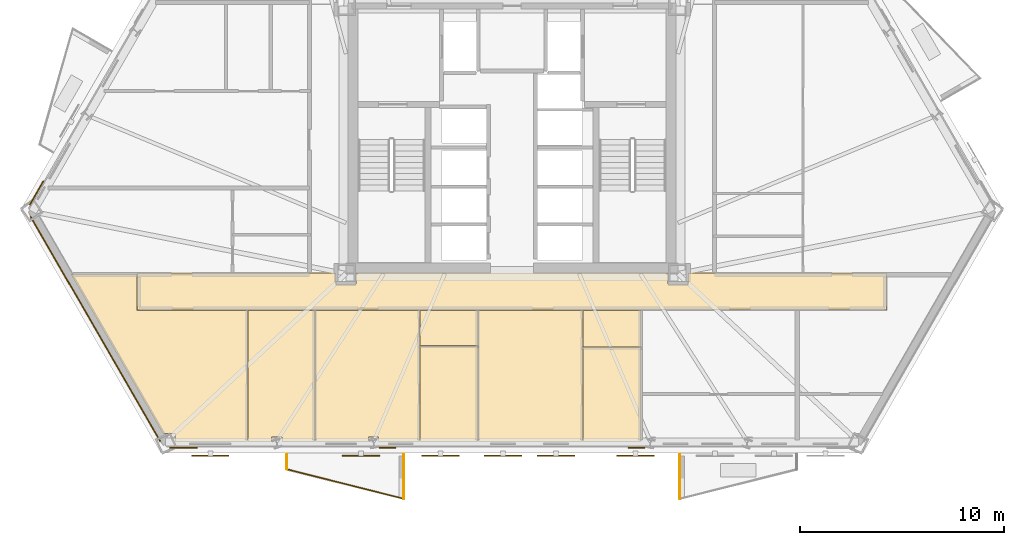
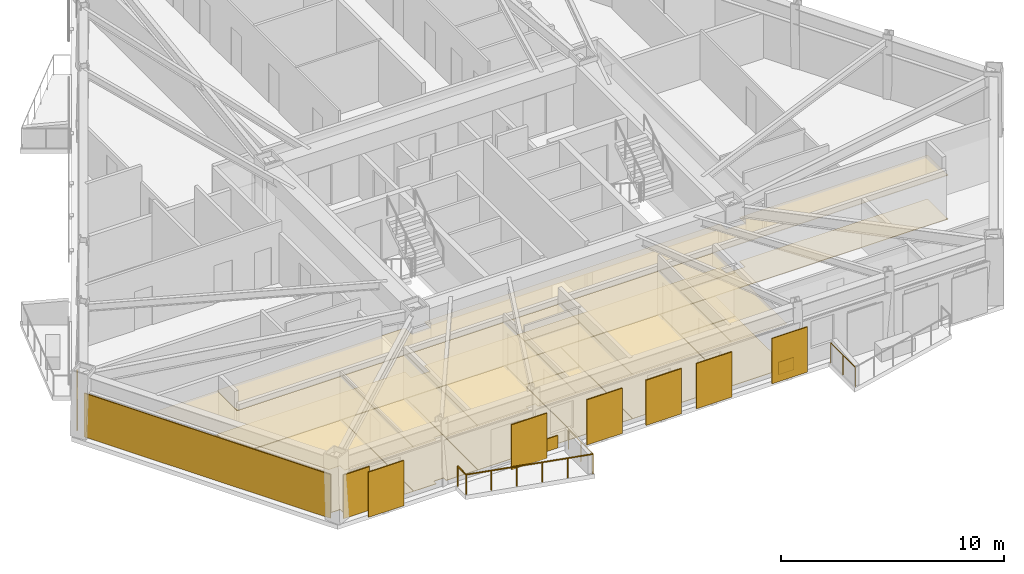
# One storey, part 7 of 10: 23 coverings, 6 shading devices, 4 railings.
"""IFC4 building model written with IfcOpenShell, lengths in metres."""

from ifc_helpers import new_model, si_unit, direction, frame, origin, origin_2d, place, context, subcontext, project, spatial, polyline, rectangle, circle, outline, extrude, material, layer, layer_set, type_object, element, save


model = new_model("IFC4")

# Units and contexts
model_context = context("Model", 3, precision=1e-05, world=origin(), true_north=direction((0.0, 1.0)))
body_context = subcontext(model_context, "Body", "Model", "MODEL_VIEW")
ifc_project = project(units=[si_unit("LENGTHUNIT", "METRE"), si_unit("AREAUNIT", "SQUARE_METRE"), si_unit("VOLUMEUNIT", "CUBIC_METRE"), si_unit("PLANEANGLEUNIT", "RADIAN"), si_unit("MASSUNIT", "GRAM", prefix="KILO")], contexts=[model_context])

# Site, building, storey
site_placement = place(None, origin())
site = spatial("IfcSite", under=ifc_project, at=site_placement, CompositionType="ELEMENT")
building_placement = place(site_placement, origin())
building = spatial("IfcBuilding", under=site, at=building_placement, Name="Oramaril Tower", CompositionType="ELEMENT")
storey_placement = place(building_placement, frame((0.0, 0.0, 74.10009765625)))
storey = spatial("IfcBuildingStorey", under=building, at=storey_placement, Name="L19", CompositionType="ELEMENT", Elevation=74.10009765625)

# Coverings
ifc_material_1 = material(Name="Mineral Fibre Acoustic Ceiling")
ifc_layer_1 = layer(ifc_material_1, 0.02001953125)
ifc_layer_set_1 = layer_set([ifc_layer_1], Name="CVT-CEIL")
covering_type_1 = type_object("IfcCoveringType", Name="CVT-CEIL", PredefinedType="CEILING", material=ifc_layer_set_1)
covering_1_placement = place(storey_placement, frame((0.0, 0.0, 2.39990234375)))
element("IfcCovering", 1, at=covering_1_placement, inside=storey, type_object=covering_type_1, Name="L19 Acoustic Suspended Ceiling 1", PredefinedType="CEILING", context=body_context, shape_type="SweptSolid", body=[
    extrude(outline(polyline([(28.85498046875, 10.5048828125), (29.844970703125, 10.5048828125), (29.844970703125, 11.030029296875), (45.155029296875, 11.030029296875), (45.155029296875, 10.5048828125), (46.14501953125, 10.5048828125), (46.14501953125, 11.030029296875), (55.8798828125, 11.030029296875), (55.8798828125, 9.219970703125), (19.1201171875, 9.219970703125), (19.1201171875, 11.030029296875), (28.85498046875, 11.030029296875), (28.85498046875, 10.5048828125)])), origin(), (0.0, 0.0, 1.0), 0.02001953125),
])
covering_2_placement = place(storey_placement, frame((0.0, 0.0, 2.39990234375)))
element("IfcCovering", 2, at=covering_2_placement, inside=storey, type_object=covering_type_1, Name="L19 Acoustic Suspended Ceiling 5", PredefinedType="CEILING", context=body_context, shape_type="SweptSolid", body=[
    extrude(outline(polyline([(24.51416015625, 2.762451171875), (20.950927734375, 2.762451171875), (20.950927734375, 3.167236328125), (20.359619140625, 3.167236328125), (15.842041015625, 10.991943359375), (19.10009765625, 10.991943359375), (19.10009765625, 9.219970703125), (19.10009765625, 9.218017578125), (19.100341796875, 9.216064453125), (19.100830078125, 9.214111328125), (19.1015625, 9.21240234375), (19.102294921875, 9.210693359375), (19.103515625, 9.208984375), (19.1044921875, 9.207275390625), (19.10595703125, 9.205810546875), (19.107421875, 9.20458984375), (19.10888671875, 9.203369140625), (19.110595703125, 9.202392578125), (19.1123046875, 9.201416015625), (19.1142578125, 9.200927734375), (19.1162109375, 9.200439453125), (19.117919921875, 9.2001953125), (19.1201171875, 9.199951171875), (24.51416015625, 9.199951171875), (24.51416015625, 2.762451171875)])), origin(), (0.0, 0.0, 1.0), 0.02001953125),
])
covering_3_placement = place(storey_placement, frame((0.0, 0.0, 2.39990234375)))
element("IfcCovering", 3, at=covering_3_placement, inside=storey, type_object=covering_type_1, Name="L19 Acoustic Suspended Ceiling 6", PredefinedType="CEILING", context=body_context, shape_type="SweptSolid", body=[
    extrude(outline(polyline([(26.197998046875, 2.762451171875), (26.197998046875, 2.984130859375), (25.69482421875, 2.984130859375), (25.69482421875, 2.762451171875), (24.5341796875, 2.762451171875), (24.5341796875, 9.199951171875), (27.842041015625, 9.199951171875), (27.842041015625, 2.762451171875), (26.197998046875, 2.762451171875)])), origin(), (0.0, 0.0, 1.0), 0.02001953125),
])
covering_4_placement = place(storey_placement, frame((0.0, 0.0, 2.39990234375)))
element("IfcCovering", 4, at=covering_4_placement, inside=storey, type_object=covering_type_1, Name="L19 Acoustic Suspended Ceiling 7", PredefinedType="CEILING", context=body_context, shape_type="SweptSolid", body=[
    extrude(outline(polyline([(32.9619140625, 2.762451171875), (30.949462890625, 2.762451171875), (30.949462890625, 2.984130859375), (30.458251953125, 2.984130859375), (30.458251953125, 2.762451171875), (27.862060546875, 2.762451171875), (27.862060546875, 9.199951171875), (32.9619140625, 9.199951171875), (32.9619140625, 2.762451171875)])), origin(), (0.0, 0.0, 1.0), 0.02001953125),
])
covering_5_placement = place(storey_placement, frame((0.0, 0.0, 2.39990234375)))
element("IfcCovering", 5, at=covering_5_placement, inside=storey, type_object=covering_type_1, Name="L19 Acoustic Suspended Ceiling 8", PredefinedType="CEILING", context=body_context, shape_type="SweptSolid", body=[
    extrude(outline(polyline([(35.842041015625, 7.451904296875), (35.842041015625, 2.762451171875), (32.98193359375, 2.762451171875), (32.98193359375, 7.451904296875), (35.842041015625, 7.451904296875)])), origin(), (0.0, 0.0, 1.0), 0.02001953125),
])
covering_6_placement = place(storey_placement, frame((0.0, 0.0, 2.39990234375)))
element("IfcCovering", 6, at=covering_6_placement, inside=storey, type_object=covering_type_1, Name="L19 Acoustic Suspended Ceiling 9", PredefinedType="CEILING", context=body_context, shape_type="SweptSolid", body=[
    extrude(outline(polyline([(35.842041015625, 7.471923828125), (32.98193359375, 7.471923828125), (32.98193359375, 9.199951171875), (35.842041015625, 9.199951171875), (35.842041015625, 7.471923828125)])), origin(), (0.0, 0.0, 1.0), 0.02001953125),
])
covering_7_placement = place(storey_placement, frame((0.0, 0.0, 2.39990234375)))
element("IfcCovering", 7, at=covering_7_placement, inside=storey, type_object=covering_type_1, Name="L19 Acoustic Suspended Ceiling 10", PredefinedType="CEILING", context=body_context, shape_type="SweptSolid", body=[
    extrude(outline(polyline([(40.9619140625, 2.762451171875), (35.862060546875, 2.762451171875), (35.862060546875, 7.451904296875), (35.86181640625, 7.4541015625), (35.861572265625, 7.455810546875), (35.861083984375, 7.457763671875), (35.860595703125, 7.459716796875), (35.859619140625, 7.46142578125), (35.859375, 7.4619140625), (35.859619140625, 7.462646484375), (35.860595703125, 7.46435546875), (35.861083984375, 7.46630859375), (35.861572265625, 7.468017578125), (35.86181640625, 7.469970703125), (35.862060546875, 7.471923828125), (35.862060546875, 9.199951171875), (40.9619140625, 9.199951171875), (40.9619140625, 2.762451171875)])), origin(), (0.0, 0.0, 1.0), 0.02001953125),
])
covering_8_placement = place(storey_placement, frame((0.0, 0.0, 2.39990234375)))
element("IfcCovering", 8, at=covering_8_placement, inside=storey, type_object=covering_type_1, Name="L19 Acoustic Suspended Ceiling 11", PredefinedType="CEILING", context=body_context, shape_type="SweptSolid", body=[
    extrude(outline(polyline([(43.842041015625, 7.381591796875), (43.842041015625, 2.762451171875), (40.98193359375, 2.762451171875), (40.98193359375, 7.381591796875), (43.842041015625, 7.381591796875)])), origin(), (0.0, 0.0, 1.0), 0.02001953125),
])
covering_9_placement = place(storey_placement, frame((0.0, 0.0, 2.39990234375)))
element("IfcCovering", 9, at=covering_9_placement, inside=storey, type_object=covering_type_1, Name="L19 Acoustic Suspended Ceiling 12", PredefinedType="CEILING", context=body_context, shape_type="SweptSolid", body=[
    extrude(outline(polyline([(43.842041015625, 7.401611328125), (40.98193359375, 7.401611328125), (40.98193359375, 9.199951171875), (43.842041015625, 9.199951171875), (43.842041015625, 7.401611328125)])), origin(), (0.0, 0.0, 1.0), 0.02001953125),
])
ifc_material_2 = material(Name="Warm Cream Limestone", Category="masonry")
ifc_layer_2 = layer(ifc_material_2, 0.050048828125)
ifc_layer_set_2 = layer_set([ifc_layer_2], Name="CVT-CLD")
covering_type_2 = type_object("IfcCoveringType", Name="CVT-CLD", PredefinedType="CLADDING", material=ifc_layer_set_2)
covering_10_placement = place(storey_placement, frame((17.052001953125, 8.294189453125, 0.039794921875), z_axis=(0.0, 0.0, 1.0), x_axis=(0.4999984885, -0.866026276448, 0.0)))
element("IfcCovering", 10, at=covering_10_placement, inside=storey, type_object=covering_type_2, Name="L19 Warm Cream Limestone Cladding", PredefinedType="CLADDING", context=body_context, shape_type="SweptSolid", body=[
    extrude(rectangle(XDim=12.74755859375, YDim=0.050048828125, at=origin_2d()), origin(), (0.0, 0.0, 1.0), 2.39404296875),
])
covering_11_placement = place(storey_placement, frame((21.381103515625, 2.46142578125, 0.039794921875), z_axis=(0.0, 0.0, 1.0), x_axis=(1.0, 0.0, 0.0)))
element("IfcCovering", 11, at=covering_11_placement, inside=storey, type_object=covering_type_2, Name="L19 Warm Cream Limestone Cladding", PredefinedType="CLADDING", context=body_context, shape_type="SweptSolid", body=[
    extrude(rectangle(XDim=1.35009765625, YDim=0.050048828125, at=origin_2d()), origin(), (0.0, 0.0, 1.0), 2.39404296875),
])
for number, where, z_axis, x_axis, name in (
    (12, (31.39111328125, 2.46142578125, 0.0400390625), (0.0, 0.0, 1.0), (1.0, 0.0, 0.0), "L19 Warm Cream Limestone Spandrel Cladding"),
    (13, (43.60888671875, 2.46142578125, 0.0400390625), (0.0, 0.0, 1.0), (1.0, 0.0, 0.0), "L19 Warm Cream Limestone Spandrel Cladding"),
):
    element("IfcCovering", number, at=place(storey_placement, frame(where, z_axis=z_axis, x_axis=x_axis)), inside=storey, type_object=covering_type_2, Name=name, PredefinedType="CLADDING", context=body_context, shape_type="SweptSolid", body=[
        extrude(rectangle(XDim=0.800048828125, YDim=0.050048828125, at=origin_2d()), origin(), (0.0, 0.0, 1.0), 0.679931640625),
    ])
covering_12_placement = place(storey_placement, frame((14.1650390625, 14.959716796875, 0.039794921875), z_axis=(0.0, 0.0, 1.0), x_axis=(-0.5, -0.866025403784, 0.0)))
element("IfcCovering", 14, at=covering_12_placement, inside=storey, type_object=covering_type_2, Name="L19 Warm Cream Limestone Cladding", PredefinedType="CLADDING", context=body_context, shape_type="SweptSolid", body=[
    extrude(rectangle(XDim=1.35009765625, YDim=0.050048828125, at=origin_2d()), origin(), (0.0, 0.0, 1.0), 2.39404296875),
])
ifc_material_3 = material(Name="Honed Quartzite Stone Flooring", Category="masonry")
ifc_layer_3 = layer(ifc_material_3, 0.02490234375)
ifc_layer_set_3 = layer_set([ifc_layer_3], Name="CVT-FLR")
covering_type_3 = type_object("IfcCoveringType", Name="CVT-FLR", PredefinedType="FLOORING", material=ifc_layer_set_3)
covering_13_placement = place(storey_placement, origin())
element("IfcCovering", 15, at=covering_13_placement, inside=storey, type_object=covering_type_3, Name="L19 Honed Stone Floor Finish 1", PredefinedType="FLOORING", context=body_context, shape_type="SweptSolid", body=[
    extrude(outline(polyline([(28.85498046875, 10.5048828125), (29.844970703125, 10.5048828125), (29.844970703125, 11.030029296875), (45.155029296875, 11.030029296875), (45.155029296875, 10.5048828125), (46.14501953125, 10.5048828125), (46.14501953125, 11.030029296875), (55.8798828125, 11.030029296875), (55.8798828125, 9.219970703125), (19.1201171875, 9.219970703125), (19.1201171875, 11.030029296875), (28.85498046875, 11.030029296875), (28.85498046875, 10.5048828125)])), origin(), (0.0, 0.0, 1.0), 0.02490234375),
])
covering_14_placement = place(storey_placement, origin())
element("IfcCovering", 16, at=covering_14_placement, inside=storey, type_object=covering_type_3, Name="L19 Honed Stone Floor Finish 5", PredefinedType="FLOORING", context=body_context, shape_type="SweptSolid", body=[
    extrude(outline(polyline([(24.51416015625, 2.762451171875), (20.950927734375, 2.762451171875), (20.950927734375, 3.167236328125), (20.359619140625, 3.167236328125), (15.842041015625, 10.991943359375), (19.10009765625, 10.991943359375), (19.10009765625, 9.219970703125), (19.10009765625, 9.218017578125), (19.100341796875, 9.216064453125), (19.100830078125, 9.214111328125), (19.1015625, 9.21240234375), (19.102294921875, 9.210693359375), (19.103515625, 9.208984375), (19.1044921875, 9.207275390625), (19.10595703125, 9.205810546875), (19.107421875, 9.20458984375), (19.10888671875, 9.203369140625), (19.110595703125, 9.202392578125), (19.1123046875, 9.201416015625), (19.1142578125, 9.200927734375), (19.1162109375, 9.200439453125), (19.117919921875, 9.2001953125), (19.1201171875, 9.199951171875), (24.51416015625, 9.199951171875), (24.51416015625, 2.762451171875)])), origin(), (0.0, 0.0, 1.0), 0.02490234375),
])
covering_15_placement = place(storey_placement, origin())
element("IfcCovering", 17, at=covering_15_placement, inside=storey, type_object=covering_type_3, Name="L19 Honed Stone Floor Finish 6", PredefinedType="FLOORING", context=body_context, shape_type="SweptSolid", body=[
    extrude(outline(polyline([(26.197998046875, 2.762451171875), (26.197998046875, 2.984130859375), (25.69482421875, 2.984130859375), (25.69482421875, 2.762451171875), (24.5341796875, 2.762451171875), (24.5341796875, 9.199951171875), (27.842041015625, 9.199951171875), (27.842041015625, 2.762451171875), (26.197998046875, 2.762451171875)])), origin(), (0.0, 0.0, 1.0), 0.02490234375),
])
covering_16_placement = place(storey_placement, origin())
element("IfcCovering", 18, at=covering_16_placement, inside=storey, type_object=covering_type_3, Name="L19 Honed Stone Floor Finish 7", PredefinedType="FLOORING", context=body_context, shape_type="SweptSolid", body=[
    extrude(outline(polyline([(32.9619140625, 2.762451171875), (30.949462890625, 2.762451171875), (30.949462890625, 2.984130859375), (30.458251953125, 2.984130859375), (30.458251953125, 2.762451171875), (27.862060546875, 2.762451171875), (27.862060546875, 9.199951171875), (32.9619140625, 9.199951171875), (32.9619140625, 2.762451171875)])), origin(), (0.0, 0.0, 1.0), 0.02490234375),
])
covering_17_placement = place(storey_placement, origin())
element("IfcCovering", 19, at=covering_17_placement, inside=storey, type_object=covering_type_3, Name="L19 Honed Stone Floor Finish 8", PredefinedType="FLOORING", context=body_context, shape_type="SweptSolid", body=[
    extrude(outline(polyline([(35.842041015625, 7.451904296875), (35.842041015625, 2.762451171875), (32.98193359375, 2.762451171875), (32.98193359375, 7.451904296875), (35.842041015625, 7.451904296875)])), origin(), (0.0, 0.0, 1.0), 0.02490234375),
])
covering_18_placement = place(storey_placement, origin())
element("IfcCovering", 20, at=covering_18_placement, inside=storey, type_object=covering_type_3, Name="L19 Honed Stone Floor Finish 9", PredefinedType="FLOORING", context=body_context, shape_type="SweptSolid", body=[
    extrude(outline(polyline([(35.842041015625, 7.471923828125), (32.98193359375, 7.471923828125), (32.98193359375, 9.199951171875), (35.842041015625, 9.199951171875), (35.842041015625, 7.471923828125)])), origin(), (0.0, 0.0, 1.0), 0.02490234375),
])
covering_19_placement = place(storey_placement, origin())
element("IfcCovering", 21, at=covering_19_placement, inside=storey, type_object=covering_type_3, Name="L19 Honed Stone Floor Finish 10", PredefinedType="FLOORING", context=body_context, shape_type="SweptSolid", body=[
    extrude(outline(polyline([(40.9619140625, 2.762451171875), (35.862060546875, 2.762451171875), (35.862060546875, 7.451904296875), (35.86181640625, 7.4541015625), (35.861572265625, 7.455810546875), (35.861083984375, 7.457763671875), (35.860595703125, 7.459716796875), (35.859619140625, 7.46142578125), (35.859375, 7.4619140625), (35.859619140625, 7.462646484375), (35.860595703125, 7.46435546875), (35.861083984375, 7.46630859375), (35.861572265625, 7.468017578125), (35.86181640625, 7.469970703125), (35.862060546875, 7.471923828125), (35.862060546875, 9.199951171875), (40.9619140625, 9.199951171875), (40.9619140625, 2.762451171875)])), origin(), (0.0, 0.0, 1.0), 0.02490234375),
])
covering_20_placement = place(storey_placement, origin())
element("IfcCovering", 22, at=covering_20_placement, inside=storey, type_object=covering_type_3, Name="L19 Honed Stone Floor Finish 11", PredefinedType="FLOORING", context=body_context, shape_type="SweptSolid", body=[
    extrude(outline(polyline([(43.842041015625, 7.381591796875), (43.842041015625, 2.762451171875), (40.98193359375, 2.762451171875), (40.98193359375, 7.381591796875), (43.842041015625, 7.381591796875)])), origin(), (0.0, 0.0, 1.0), 0.02490234375),
])
covering_21_placement = place(storey_placement, origin())
element("IfcCovering", 23, at=covering_21_placement, inside=storey, type_object=covering_type_3, Name="L19 Honed Stone Floor Finish 12", PredefinedType="FLOORING", context=body_context, shape_type="SweptSolid", body=[
    extrude(outline(polyline([(43.842041015625, 7.401611328125), (40.98193359375, 7.401611328125), (40.98193359375, 9.199951171875), (43.842041015625, 9.199951171875), (43.842041015625, 7.401611328125)])), origin(), (0.0, 0.0, 1.0), 0.02490234375),
])

# Railings
ifc_material_4 = material(Name="Stainless Steel 316L", Category="steel")
railing_type = type_object("IfcRailingType", Name="RLT-GRD", PredefinedType="GUARDRAIL", material=ifc_material_4)
railing_1_placement = place(storey_placement, frame((32.180419921875, 2.146484375, 0.0)))
element("IfcRailing", 24, at=railing_1_placement, inside=storey, type_object=railing_type, Name="L19 Balcony Guardrail L19-BAL-S1.1", PredefinedType="GUARDRAIL", context=body_context, shape_type="SweptSolid", body=[
    extrude(circle(Radius=0.02392578125, at=origin_2d()), frame((0.0, 0.0, 1.076171875), z_axis=(0.0, -1.0, 0.0), x_axis=(1.0, 0.0, 0.0)), (0.0, 0.0, 1.0), 2.192138671875),
    extrude(circle(Radius=0.02099609375, at=origin_2d()), origin(), (0.0, 0.0, 1.0), 1.052001953125),
    extrude(circle(Radius=0.02099609375, at=origin_2d()), frame((0.0, -1.09619140625, 0.0)), (0.0, 0.0, 1.0), 1.052001953125),
    extrude(circle(Radius=0.02099609375, at=origin_2d()), frame((0.0, -2.192138671875, 0.0)), (0.0, 0.0, 1.0), 1.052001953125),
])
railing_2_placement = place(storey_placement, frame((32.180419921875, -0.045654296875, 0.0)))
element("IfcRailing", 25, at=railing_2_placement, inside=storey, type_object=railing_type, Name="L19 Balcony Guardrail L19-BAL-S1.2", PredefinedType="GUARDRAIL", context=body_context, shape_type="SweptSolid", body=[
    extrude(circle(Radius=0.02392578125, at=origin_2d()), frame((0.0, 0.0, 1.076171875), z_axis=(-0.969443611257, 0.245314256807, 0.0), x_axis=(-0.245314256807, -0.969443611257, 0.0)), (0.0, 0.0, 1.0), 5.91064453125),
    extrude(circle(Radius=0.02099609375, at=origin_2d()), origin(), (0.0, 0.0, 1.0), 1.052001953125),
    extrude(circle(Radius=0.02099609375, at=origin_2d()), frame((-1.14599609375, 0.2900390625, 0.0)), (0.0, 0.0, 1.0), 1.052001953125),
    extrude(circle(Radius=0.02099609375, at=origin_2d()), frame((-2.2919921875, 0.580078125, 0.0)), (0.0, 0.0, 1.0), 1.052001953125),
    extrude(circle(Radius=0.02099609375, at=origin_2d()), frame((-3.43798828125, 0.869873046875, 0.0)), (0.0, 0.0, 1.0), 1.052001953125),
    extrude(circle(Radius=0.02099609375, at=origin_2d()), frame((-4.583984375, 1.159912109375, 0.0)), (0.0, 0.0, 1.0), 1.052001953125),
    extrude(circle(Radius=0.02099609375, at=origin_2d()), frame((-5.72998046875, 1.449951171875, 0.0)), (0.0, 0.0, 1.0), 1.052001953125),
])
railing_3_placement = place(storey_placement, frame((26.450439453125, 1.404296875, 0.0)))
element("IfcRailing", 26, at=railing_3_placement, inside=storey, type_object=railing_type, Name="L19 Balcony Guardrail L19-BAL-S1.3", PredefinedType="GUARDRAIL", context=body_context, shape_type="SweptSolid", body=[
    extrude(circle(Radius=0.02392578125, at=origin_2d()), frame((0.0, 0.0, 1.076171875), z_axis=(0.0, 1.0, 0.0), x_axis=(-1.0, 0.0, 0.0)), (0.0, 0.0, 1.0), 0.7421875),
    extrude(circle(Radius=0.02099609375, at=origin_2d()), origin(), (0.0, 0.0, 1.0), 1.052001953125),
    extrude(circle(Radius=0.02099609375, at=origin_2d()), frame((0.0, 0.7421875, 0.0)), (0.0, 0.0, 1.0), 1.052001953125),
])
railing_4_placement = place(storey_placement, frame((45.74462890625, -0.045654296875, 0.0)))
element("IfcRailing", 27, at=railing_4_placement, inside=storey, type_object=railing_type, Name="L19 Balcony Guardrail L19-BAL-S2.3", PredefinedType="GUARDRAIL", context=body_context, shape_type="SweptSolid", body=[
    extrude(circle(Radius=0.02392578125, at=origin_2d()), frame((0.0, 0.0, 1.076171875), z_axis=(0.0, 1.0, 0.0), x_axis=(-1.0, 0.0, 0.0)), (0.0, 0.0, 1.0), 2.192138671875),
    extrude(circle(Radius=0.02099609375, at=origin_2d()), origin(), (0.0, 0.0, 1.0), 1.052001953125),
    extrude(circle(Radius=0.02099609375, at=origin_2d()), frame((0.0, 1.09619140625, 0.0)), (0.0, 0.0, 1.0), 1.052001953125),
    extrude(circle(Radius=0.02099609375, at=origin_2d()), frame((0.0, 2.192138671875, 0.0)), (0.0, 0.0, 1.0), 1.052001953125),
])

# Shading devices
for number, where, z_axis, x_axis, name in (
    (28, (22.69189453125, 2.074462890625, -0.020263671875), (0.0, 0.0, 1.0), (1.0, 0.0, 0.0), "L19 Perforated Ceramic Solar Screen"),
    (29, (30.089111328125, 2.074462890625, -0.020263671875), (0.0, 0.0, 1.0), (1.0, 0.0, 0.0), "L19 Perforated Ceramic Solar Screen"),
    (30, (33.9892578125, 2.074462890625, -0.020263671875), (0.0, 0.0, 1.0), (1.0, 0.0, 0.0), "L19 Perforated Ceramic Solar Screen"),
    (31, (37.0576171875, 2.074462890625, -0.020263671875), (0.0, 0.0, 1.0), (1.0, 0.0, 0.0), "L19 Perforated Ceramic Solar Screen"),
    (32, (39.662353515625, 2.074462890625, -0.020263671875), (0.0, 0.0, 1.0), (1.0, 0.0, 0.0), "L19 Perforated Ceramic Solar Screen"),
    (33, (43.5693359375, 2.074462890625, -0.020263671875), (0.0, 0.0, 1.0), (1.0, 0.0, 0.0), "L19 Perforated Ceramic Solar Screen"),
):
    element("IfcShadingDevice", number, at=place(storey_placement, frame(where, z_axis=z_axis, x_axis=x_axis)), inside=storey, Name=name, ObjectType="SCREEN", PredefinedType="USERDEFINED", context=body_context, shape_type="SweptSolid", body=[
        extrude(rectangle(XDim=1.8330078125, YDim=0.050048828125, at=origin_2d()), origin(), (0.0, 0.0, 1.0), 2.47412109375),
    ])

save(model, "model.ifc")
